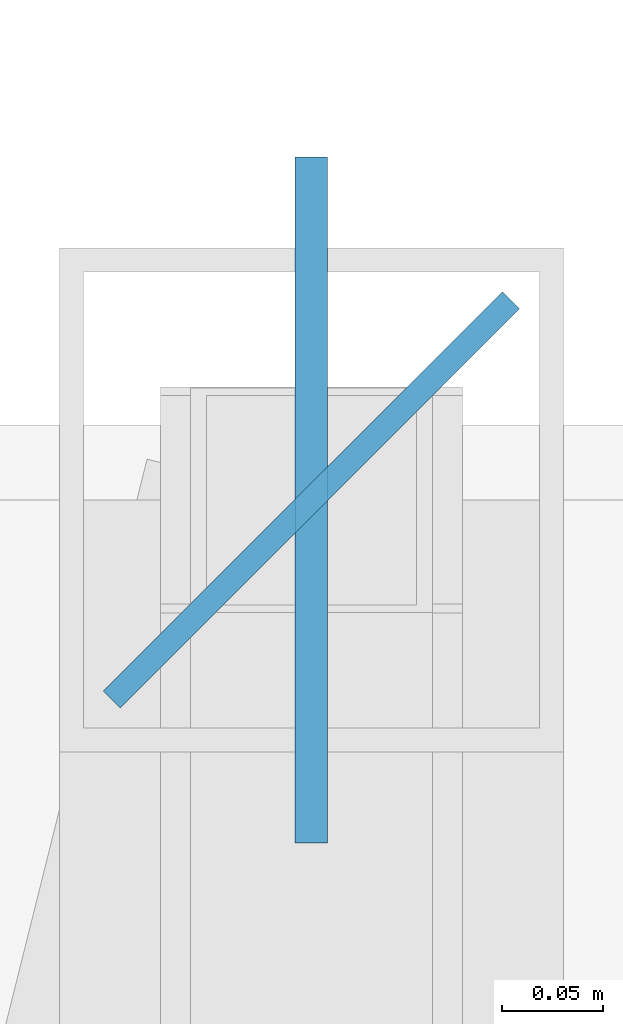
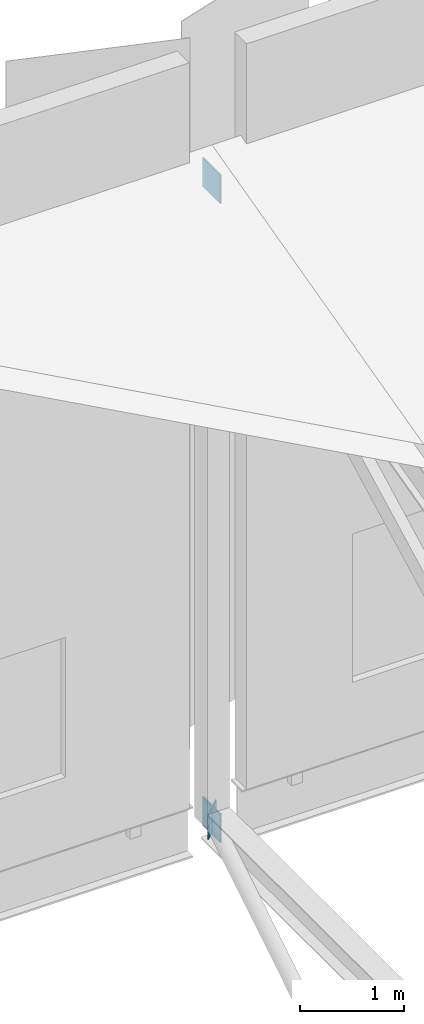
# One storey, part 77 of 108: 3 plates.
"""IFC4 building model written with IfcOpenShell, lengths in metres."""

from ifc_helpers import new_model, si_unit, direction, frame, origin, origin_2d, place, context, subcontext, project, spatial, rectangle, extrude, material, layer, layer_set, type_object, element, save


model = new_model("IFC4")

# Units and contexts
model_context = context("Model", 3, precision=1e-05, world=origin(), true_north=direction((0.0, 1.0)))
body_context = subcontext(model_context, "Body", "Model", "MODEL_VIEW")
ifc_project = project(units=[si_unit("LENGTHUNIT", "METRE"), si_unit("AREAUNIT", "SQUARE_METRE"), si_unit("VOLUMEUNIT", "CUBIC_METRE"), si_unit("PLANEANGLEUNIT", "RADIAN"), si_unit("MASSUNIT", "GRAM", prefix="KILO")], contexts=[model_context])

# Site, building, storey
site_placement = place(None, origin())
site = spatial("IfcSite", under=ifc_project, at=site_placement, CompositionType="ELEMENT")
building_placement = place(site_placement, origin())
building = spatial("IfcBuilding", under=site, at=building_placement, Name="Kangsadwip Square Police Headquarters", CompositionType="ELEMENT")
storey_placement = place(building_placement, frame((0.0, 0.0, 9.449951171875)))
storey = spatial("IfcBuildingStorey", under=building, at=storey_placement, Name="L02", CompositionType="ELEMENT", Elevation=9.449951171875)

# Plates
ifc_material_1 = material(Name="Structural steel IS 2062 E350 (Grade 350, 350 MPa)", Category="steel")
ifc_layer_1 = layer(ifc_material_1, 0.011962890625)
ifc_layer_set_1 = layer_set([ifc_layer_1], Name="Structural steel IS 2062 E350 (Grade 350, 350 MPa)")
plate_type_1 = type_object("IfcPlateType", Name="TrussEndCapPlate12", PredefinedType="USERDEFINED", material=ifc_layer_set_1)
plate_placement = place(storey_placement, frame((86.39990234375, 115.199951171875, -0.68994140625), z_axis=(0.0, 0.0, 1.0), x_axis=(0.707106781187, 0.707106781187, 0.0)))
element("IfcPlate", 1, at=plate_placement, inside=storey, type_object=plate_type_1, Name="Truss Node Gusset Plate GP-L02-0055", ObjectType="GUSSET_PLATE", PredefinedType="USERDEFINED", context=body_context, shape_type="SweptSolid", body=[
    extrude(rectangle(XDim=0.280029296875, YDim=0.011962890625, at=origin_2d()), origin(), (0.0, 0.0, 1.0), 0.280029296875),
])
ifc_material_2 = material(Name="Structural steel IS 2062 E350 (Grade 350, 350 MPa)", Category="steel")
ifc_layer_2 = layer(ifc_material_2, 0.01611328125)
ifc_layer_set_2 = layer_set([ifc_layer_2], Name="Structural steel IS 2062 E350 (Grade 350, 350 MPa)")
plate_type_2 = type_object("IfcPlateType", Name="TrussGussetPlate16", PredefinedType="USERDEFINED", material=ifc_layer_set_2)
for number, where, z_axis, x_axis, name in (
    (2, (86.39990234375, 115.199951171875, -0.72021484375), (0.0, 0.0, 1.0), (0.0, 1.0, 0.0), "Truss Node Gusset Plate GP-L02-0040"),
    (3, (86.39990234375, 115.199951171875, 6.81005859375), (0.0, 0.0, 1.0), (0.0, 1.0, 0.0), "Truss Node Gusset Plate GP-L02-0041"),
):
    element("IfcPlate", number, at=place(storey_placement, frame(where, z_axis=z_axis, x_axis=x_axis)), inside=storey, type_object=plate_type_2, Name=name, ObjectType="GUSSET_PLATE", PredefinedType="USERDEFINED", context=body_context, shape_type="SweptSolid", body=[
        extrude(rectangle(XDim=0.340087890625, YDim=0.01611328125, at=origin_2d()), origin(), (0.0, 0.0, 1.0), 0.340087890625),
    ])

save(model, "model.ifc")
